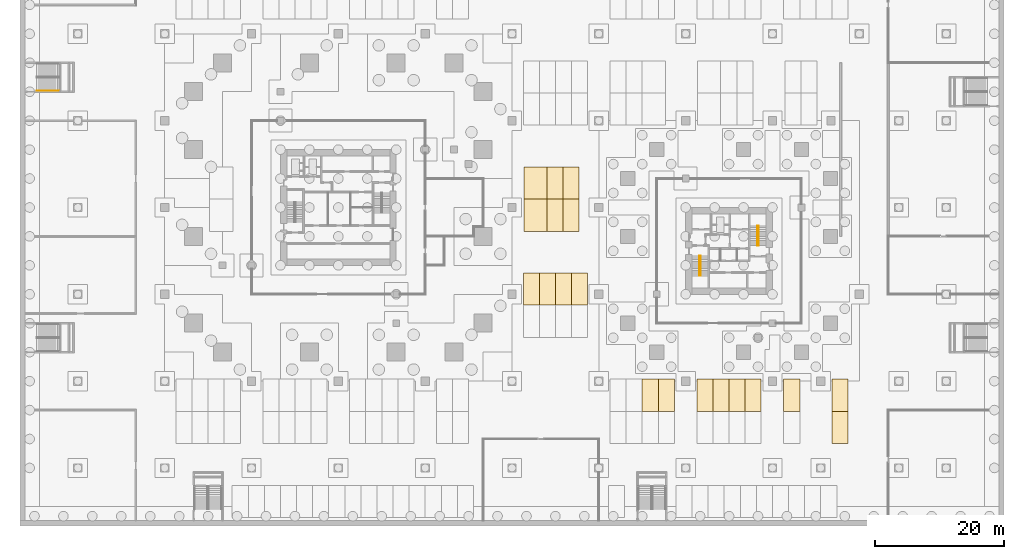
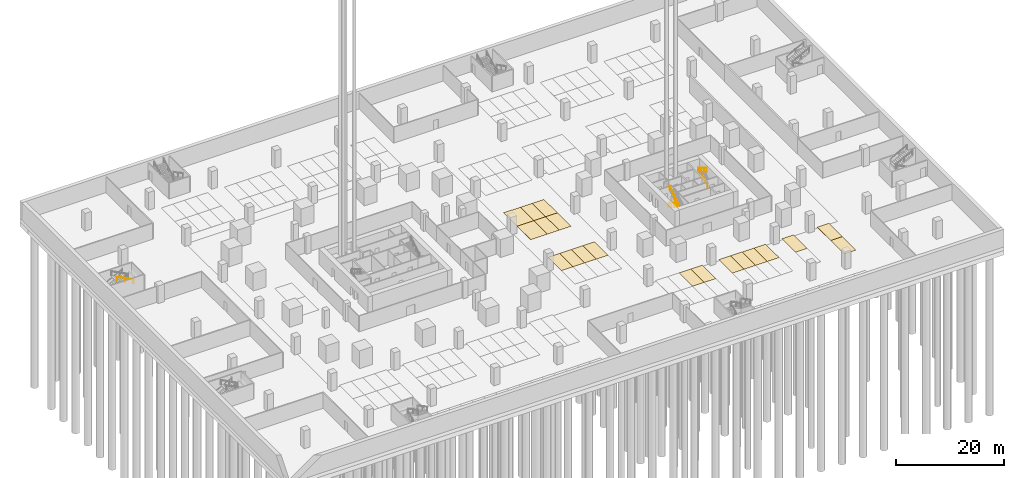
# One storey, part 31 of 40: 19 coverings, 5 railings.
"""IFC4 building model written with IfcOpenShell, lengths in metres."""

from ifc_helpers import new_model, si_unit, direction, frame, origin, origin_2d, place, context, subcontext, project, spatial, polyline, circle, outline, extrude, source, transform, mapped, material, layer, layer_set, type_object, element, save


model = new_model("IFC4")

# Units and contexts
model_context = context("Model", 3, precision=1e-05, world=origin(), true_north=direction((0.0, 1.0)))
body_context = subcontext(model_context, "Body", "Model", "MODEL_VIEW")
ifc_project = project(units=[si_unit("LENGTHUNIT", "METRE"), si_unit("AREAUNIT", "SQUARE_METRE"), si_unit("VOLUMEUNIT", "CUBIC_METRE"), si_unit("PLANEANGLEUNIT", "RADIAN"), si_unit("MASSUNIT", "GRAM", prefix="KILO")], contexts=[model_context])

# Site, building, storey
site_placement = place(None, origin())
site = spatial("IfcSite", under=ifc_project, at=site_placement, CompositionType="ELEMENT")
building_placement = place(site_placement, origin())
building = spatial("IfcBuilding", under=site, at=building_placement, Name="Altepetl Exchange Towers", CompositionType="ELEMENT")
storey_placement = place(building_placement, frame((0.0, 0.0, -8.0)))
storey = spatial("IfcBuildingStorey", under=building, at=storey_placement, Name="B2 Basement parking", CompositionType="ELEMENT", Elevation=-8.0)

# Coverings
ifc_material_1 = material(Name="Road marking paint")
ifc_layer_1 = layer(ifc_material_1, 0.010009765625)
ifc_layer_set_1 = layer_set([ifc_layer_1], Name="Road marking paint")
covering_type_1 = type_object("IfcCoveringType", Name="Accessible parking bay marking 3600 x 5000", PredefinedType="FLOORING", material=ifc_layer_set_1)
covering_1_placement = place(storey_placement, origin())
element("IfcCovering", 1, at=covering_1_placement, inside=storey, type_object=covering_type_1, Name="Accessible parking bay B2-084", PredefinedType="FLOORING", context=body_context, shape_type="SweptSolid", body=[
    extrude(outline(polyline([(78.35009765625, 45.800048828125), (81.949951171875, 45.800048828125), (81.949951171875, 50.800048828125), (78.35009765625, 50.800048828125), (78.35009765625, 45.800048828125)])), origin(), (0.0, 0.0, 1.0), 0.010009765625),
])
covering_2_placement = place(storey_placement, origin())
element("IfcCovering", 2, at=covering_2_placement, inside=storey, type_object=covering_type_1, Name="Accessible parking bay B2-088", PredefinedType="FLOORING", context=body_context, shape_type="SweptSolid", body=[
    extrude(outline(polyline([(78.35009765625, 50.800048828125), (81.949951171875, 50.800048828125), (81.949951171875, 55.800048828125), (78.35009765625, 55.800048828125), (78.35009765625, 50.800048828125)])), origin(), (0.0, 0.0, 1.0), 0.010009765625),
])
ifc_layer_2 = layer(ifc_material_1, 0.010009765625)
ifc_layer_set_2 = layer_set([ifc_layer_2], Name="Road marking paint")
covering_type_2 = type_object("IfcCoveringType", Name="Parking bay marking 2500 x 5000", PredefinedType="FLOORING", material=ifc_layer_set_2)
covering_3_placement = place(storey_placement, origin())
element("IfcCovering", 3, at=covering_3_placement, inside=storey, type_object=covering_type_2, Name="Parking bay B2-050", PredefinedType="FLOORING", context=body_context, shape_type="SweptSolid", body=[
    extrude(outline(polyline([(126.25, 12.800048828125), (128.75, 12.800048828125), (128.75, 17.800048828125), (126.25, 17.800048828125), (126.25, 12.800048828125)])), origin(), (0.0, 0.0, 1.0), 0.010009765625),
])
covering_4_placement = place(storey_placement, origin())
element("IfcCovering", 4, at=covering_4_placement, inside=storey, type_object=covering_type_2, Name="Parking bay B2-067", PredefinedType="FLOORING", context=body_context, shape_type="SweptSolid", body=[
    extrude(outline(polyline([(96.75, 17.800048828125), (99.25, 17.800048828125), (99.25, 22.800048828125), (96.75, 22.800048828125), (96.75, 17.800048828125)])), origin(), (0.0, 0.0, 1.0), 0.010009765625),
])
covering_5_placement = place(storey_placement, origin())
element("IfcCovering", 5, at=covering_5_placement, inside=storey, type_object=covering_type_2, Name="Parking bay B2-068", PredefinedType="FLOORING", context=body_context, shape_type="SweptSolid", body=[
    extrude(outline(polyline([(99.25, 17.800048828125), (101.75, 17.800048828125), (101.75, 22.800048828125), (99.25, 22.800048828125), (99.25, 17.800048828125)])), origin(), (0.0, 0.0, 1.0), 0.010009765625),
])
covering_6_placement = place(storey_placement, origin())
element("IfcCovering", 6, at=covering_6_placement, inside=storey, type_object=covering_type_2, Name="Parking bay B2-069", PredefinedType="FLOORING", context=body_context, shape_type="SweptSolid", body=[
    extrude(outline(polyline([(105.25, 17.800048828125), (107.75, 17.800048828125), (107.75, 22.800048828125), (105.25, 22.800048828125), (105.25, 17.800048828125)])), origin(), (0.0, 0.0, 1.0), 0.010009765625),
])
covering_7_placement = place(storey_placement, origin())
element("IfcCovering", 7, at=covering_7_placement, inside=storey, type_object=covering_type_2, Name="Parking bay B2-070", PredefinedType="FLOORING", context=body_context, shape_type="SweptSolid", body=[
    extrude(outline(polyline([(107.75, 17.800048828125), (110.25, 17.800048828125), (110.25, 22.800048828125), (107.75, 22.800048828125), (107.75, 17.800048828125)])), origin(), (0.0, 0.0, 1.0), 0.010009765625),
])
covering_8_placement = place(storey_placement, origin())
element("IfcCovering", 8, at=covering_8_placement, inside=storey, type_object=covering_type_2, Name="Parking bay B2-071", PredefinedType="FLOORING", context=body_context, shape_type="SweptSolid", body=[
    extrude(outline(polyline([(110.25, 17.800048828125), (112.75, 17.800048828125), (112.75, 22.800048828125), (110.25, 22.800048828125), (110.25, 17.800048828125)])), origin(), (0.0, 0.0, 1.0), 0.010009765625),
])
covering_9_placement = place(storey_placement, origin())
element("IfcCovering", 9, at=covering_9_placement, inside=storey, type_object=covering_type_2, Name="Parking bay B2-072", PredefinedType="FLOORING", context=body_context, shape_type="SweptSolid", body=[
    extrude(outline(polyline([(112.75, 17.800048828125), (115.25, 17.800048828125), (115.25, 22.800048828125), (112.75, 22.800048828125), (112.75, 17.800048828125)])), origin(), (0.0, 0.0, 1.0), 0.010009765625),
])
covering_10_placement = place(storey_placement, origin())
element("IfcCovering", 10, at=covering_10_placement, inside=storey, type_object=covering_type_2, Name="Parking bay B2-073", PredefinedType="FLOORING", context=body_context, shape_type="SweptSolid", body=[
    extrude(outline(polyline([(118.75, 17.800048828125), (121.25, 17.800048828125), (121.25, 22.800048828125), (118.75, 22.800048828125), (118.75, 17.800048828125)])), origin(), (0.0, 0.0, 1.0), 0.010009765625),
])
covering_11_placement = place(storey_placement, origin())
element("IfcCovering", 11, at=covering_11_placement, inside=storey, type_object=covering_type_2, Name="Parking bay B2-074", PredefinedType="FLOORING", context=body_context, shape_type="SweptSolid", body=[
    extrude(outline(polyline([(126.25, 17.800048828125), (128.75, 17.800048828125), (128.75, 22.800048828125), (126.25, 22.800048828125), (126.25, 17.800048828125)])), origin(), (0.0, 0.0, 1.0), 0.010009765625),
])
covering_12_placement = place(storey_placement, origin())
element("IfcCovering", 12, at=covering_12_placement, inside=storey, type_object=covering_type_2, Name="Parking bay B2-079", PredefinedType="FLOORING", context=body_context, shape_type="SweptSolid", body=[
    extrude(outline(polyline([(78.25, 34.300048828125), (80.75, 34.300048828125), (80.75, 39.300048828125), (78.25, 39.300048828125), (78.25, 34.300048828125)])), origin(), (0.0, 0.0, 1.0), 0.010009765625),
])
covering_13_placement = place(storey_placement, origin())
element("IfcCovering", 13, at=covering_13_placement, inside=storey, type_object=covering_type_2, Name="Parking bay B2-080", PredefinedType="FLOORING", context=body_context, shape_type="SweptSolid", body=[
    extrude(outline(polyline([(80.75, 34.300048828125), (83.25, 34.300048828125), (83.25, 39.300048828125), (80.75, 39.300048828125), (80.75, 34.300048828125)])), origin(), (0.0, 0.0, 1.0), 0.010009765625),
])
covering_14_placement = place(storey_placement, origin())
element("IfcCovering", 14, at=covering_14_placement, inside=storey, type_object=covering_type_2, Name="Parking bay B2-081", PredefinedType="FLOORING", context=body_context, shape_type="SweptSolid", body=[
    extrude(outline(polyline([(83.25, 34.300048828125), (85.75, 34.300048828125), (85.75, 39.300048828125), (83.25, 39.300048828125), (83.25, 34.300048828125)])), origin(), (0.0, 0.0, 1.0), 0.010009765625),
])
covering_15_placement = place(storey_placement, origin())
element("IfcCovering", 15, at=covering_15_placement, inside=storey, type_object=covering_type_2, Name="Parking bay B2-082", PredefinedType="FLOORING", context=body_context, shape_type="SweptSolid", body=[
    extrude(outline(polyline([(85.75, 34.300048828125), (88.25, 34.300048828125), (88.25, 39.300048828125), (85.75, 39.300048828125), (85.75, 34.300048828125)])), origin(), (0.0, 0.0, 1.0), 0.010009765625),
])
covering_16_placement = place(storey_placement, origin())
element("IfcCovering", 16, at=covering_16_placement, inside=storey, type_object=covering_type_2, Name="Parking bay B2-085", PredefinedType="FLOORING", context=body_context, shape_type="SweptSolid", body=[
    extrude(outline(polyline([(81.949951171875, 45.800048828125), (84.449951171875, 45.800048828125), (84.449951171875, 50.800048828125), (81.949951171875, 50.800048828125), (81.949951171875, 45.800048828125)])), origin(), (0.0, 0.0, 1.0), 0.010009765625),
])
covering_17_placement = place(storey_placement, origin())
element("IfcCovering", 17, at=covering_17_placement, inside=storey, type_object=covering_type_2, Name="Parking bay B2-086", PredefinedType="FLOORING", context=body_context, shape_type="SweptSolid", body=[
    extrude(outline(polyline([(84.449951171875, 45.800048828125), (86.949951171875, 45.800048828125), (86.949951171875, 50.800048828125), (84.449951171875, 50.800048828125), (84.449951171875, 45.800048828125)])), origin(), (0.0, 0.0, 1.0), 0.010009765625),
])
covering_18_placement = place(storey_placement, origin())
element("IfcCovering", 18, at=covering_18_placement, inside=storey, type_object=covering_type_2, Name="Parking bay B2-089", PredefinedType="FLOORING", context=body_context, shape_type="SweptSolid", body=[
    extrude(outline(polyline([(81.949951171875, 50.800048828125), (84.449951171875, 50.800048828125), (84.449951171875, 55.800048828125), (81.949951171875, 55.800048828125), (81.949951171875, 50.800048828125)])), origin(), (0.0, 0.0, 1.0), 0.010009765625),
])
covering_19_placement = place(storey_placement, origin())
element("IfcCovering", 19, at=covering_19_placement, inside=storey, type_object=covering_type_2, Name="Parking bay B2-090", PredefinedType="FLOORING", context=body_context, shape_type="SweptSolid", body=[
    extrude(outline(polyline([(84.449951171875, 50.800048828125), (86.949951171875, 50.800048828125), (86.949951171875, 55.800048828125), (84.449951171875, 55.800048828125), (84.449951171875, 50.800048828125)])), origin(), (0.0, 0.0, 1.0), 0.010009765625),
])

# Railings
ifc_material_2 = material(Name="Steel", Category="steel")
railing_type_1 = type_object("IfcRailingType", Name="Stair handrail 50 steel tube", PredefinedType="HANDRAIL", material=ifc_material_2)
shared_shape_1 = source(origin(), body_context, "Body", "SweptSolid", [
    extrude(circle(Radius=0.02099609375, at=origin_2d()), origin(), (0.0, 0.0, 1.0), 0.851806640625),
])
railing_1_placement = place(storey_placement, frame((105.669921875, 41.949951171875, 0.166748046875)))
element("IfcRailing", 20, at=railing_1_placement, inside=storey, type_object=railing_type_1, Name="Stair handrail", PredefinedType="HANDRAIL", context=body_context, shape_type="SweptSolid", body=[
    extrude(circle(Radius=0.02392578125, at=origin_2d()), frame((0.0, 0.0, 0.8759765625), z_axis=(0.0, -0.859290745958, 0.51148745235), x_axis=(1.0, 0.0, 0.0)), (0.0, 0.0, 1.0), 3.584228515625),
    mapped(shared_shape_1, transform((0.0, 0.0, 0.0))),
    mapped(shared_shape_1, transform((0.0, -1.026611328125, 0.611083984375))),
    mapped(shared_shape_1, transform((0.0, -2.05322265625, 1.22216796875))),
    mapped(shared_shape_1, transform((0.0, -3.079833984375, 1.833251953125))),
])
for number, where, name in (
    (21, (105.830078125, 38.8701171875, 2.166748046875), "Stair handrail"),
    (22, (114.830078125, 43.550048828125, 0.166748046875), "Stair handrail"),
):
    element("IfcRailing", number, at=place(storey_placement, frame(where)), inside=storey, type_object=railing_type_1, Name=name, PredefinedType="HANDRAIL", context=body_context, shape_type="SweptSolid", body=[
        extrude(circle(Radius=0.02392578125, at=origin_2d()), frame((0.0, 0.0, 0.8759765625), z_axis=(0.0, 0.859290745958, 0.51148745235), x_axis=(-1.0, 0.0, 0.0)), (0.0, 0.0, 1.0), 3.584228515625),
        mapped(shared_shape_1, transform((0.0, 0.0, 0.0))),
        mapped(shared_shape_1, transform((0.0, 1.026611328125, 0.611083984375))),
        mapped(shared_shape_1, transform((0.0, 2.05322265625, 1.22216796875))),
        mapped(shared_shape_1, transform((0.0, 3.079833984375, 1.833251953125))),
    ])
railing_2_placement = place(storey_placement, frame((114.669921875, 46.6298828125, 2.166748046875)))
element("IfcRailing", 23, at=railing_2_placement, inside=storey, type_object=railing_type_1, Name="Stair handrail", PredefinedType="HANDRAIL", context=body_context, shape_type="SweptSolid", body=[
    extrude(circle(Radius=0.02392578125, at=origin_2d()), frame((0.0, 0.0, 0.8759765625), z_axis=(0.0, -0.859290745958, 0.51148745235), x_axis=(1.0, 0.0, 0.0)), (0.0, 0.0, 1.0), 3.584228515625),
    mapped(shared_shape_1, transform((0.0, 0.0, 0.0))),
    mapped(shared_shape_1, transform((0.0, -1.026611328125, 0.611083984375))),
    mapped(shared_shape_1, transform((0.0, -2.05322265625, 1.22216796875))),
    mapped(shared_shape_1, transform((0.0, -3.079833984375, 1.833251953125))),
])
ifc_material_3 = material(Name="Stainless steel", Category="steel")
railing_type_2 = type_object("IfcRailingType", Name="Stair handrail 900", PredefinedType="HANDRAIL", material=ifc_material_3)
shared_shape_2 = source(origin(), body_context, "Body", "SweptSolid", [
    extrude(circle(Radius=0.02001953125, at=origin_2d()), origin(), (0.0, 0.0, 1.0), 0.849853515625),
])
railing_3_placement = place(storey_placement, frame((6.1201171875, 67.64990234375, 2.166748046875)))
element("IfcRailing", 24, at=railing_3_placement, inside=storey, type_object=railing_type_2, Name="rail:P:B2:ES4:2b", PredefinedType="HANDRAIL", context=body_context, shape_type="SweptSolid", body=[
    extrude(circle(Radius=0.02490234375, at=origin_2d()), frame((0.0, 0.0, 0.875), z_axis=(-0.886923534906, 0.0, 0.461916272965), x_axis=(0.0, -1.0, 0.0)), (0.0, 0.0, 1.0), 3.96875),
    mapped(shared_shape_2, transform((0.0, 0.0, 0.0))),
    mapped(shared_shape_2, transform((-1.760009765625, 0.0, 0.91650390625))),
    mapped(shared_shape_2, transform((-3.52001953125, 0.0, 1.833251953125))),
])

save(model, "model.ifc")
